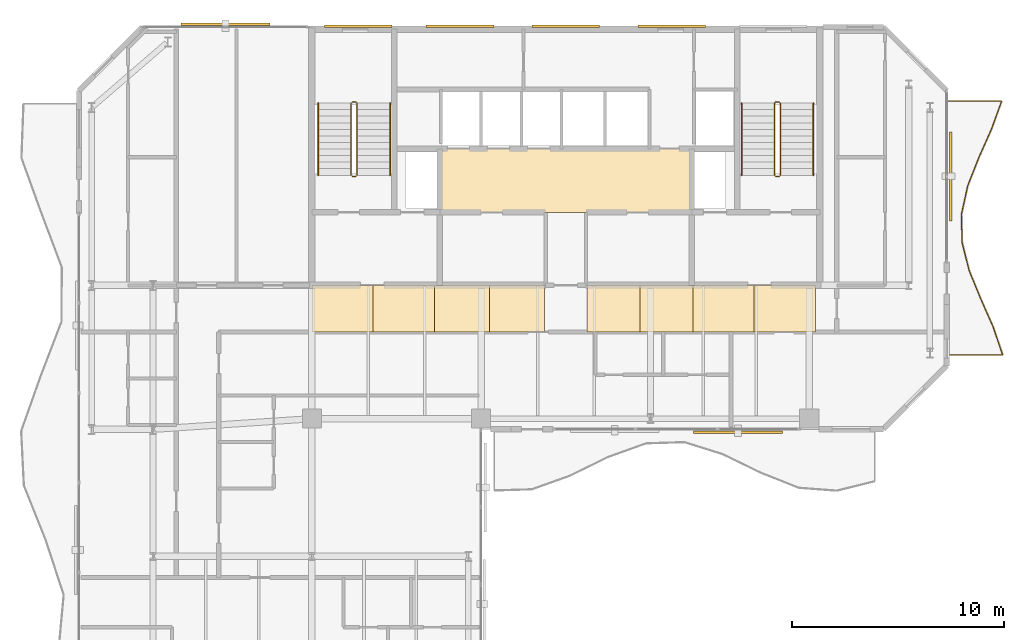
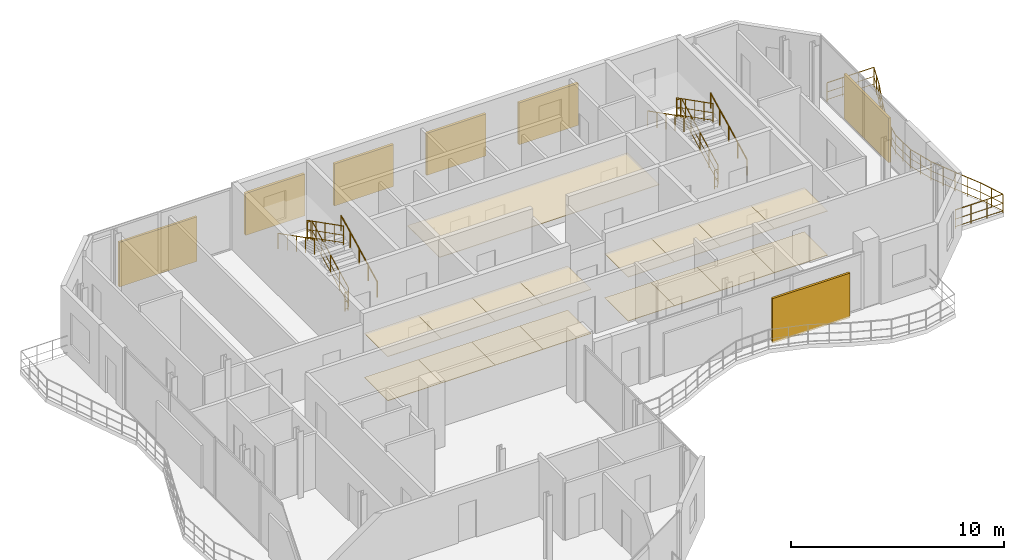
# One storey, part 22 of 23: 17 coverings, 13 railings, 7 shading devices.
"""IFC4 building model written with IfcOpenShell, lengths in metres."""

from ifc_helpers import new_model, si_unit, direction, frame, origin, origin_2d, place, context, subcontext, project, spatial, polyline, rectangle, circle, outline, extrude, material, layer, layer_set, type_object, element, save


model = new_model("IFC4")

# Units and contexts
model_context = context("Model", 3, precision=1e-05, world=origin(), true_north=direction((0.0, 1.0)))
body_context = subcontext(model_context, "Body", "Model", "MODEL_VIEW")
ifc_project = project(units=[si_unit("LENGTHUNIT", "METRE"), si_unit("AREAUNIT", "SQUARE_METRE"), si_unit("VOLUMEUNIT", "CUBIC_METRE"), si_unit("PLANEANGLEUNIT", "RADIAN"), si_unit("MASSUNIT", "GRAM", prefix="KILO")], contexts=[model_context])

# Site, building, storey
site_placement = place(None, origin())
site = spatial("IfcSite", under=ifc_project, at=site_placement, CompositionType="ELEMENT")
building_placement = place(site_placement, origin())
building = spatial("IfcBuilding", under=site, at=building_placement, Name="Catumbela Crestline Tower", CompositionType="ELEMENT")
storey_placement = place(building_placement, frame((0.0, 0.0, 245.0)))
storey = spatial("IfcBuildingStorey", under=building, at=storey_placement, Name="L63", CompositionType="ELEMENT", Elevation=245.0)

# Coverings
ifc_material_1 = material(Name="Mineral-fibre acoustic ceiling")
ifc_layer_1 = layer(ifc_material_1, 0.03, Name="Mineral-fibre acoustic ceiling")
ifc_layer_set_1 = layer_set([ifc_layer_1], Name="Mineral-fibre acoustic ceiling")
covering_type_1 = type_object("IfcCoveringType", Name="CC-AC", PredefinedType="CEILING", material=ifc_layer_set_1)
covering_1_placement = place(storey_placement, frame((0.0, 0.0, 2.65)))
element("IfcCovering", 1, at=covering_1_placement, inside=storey, type_object=covering_type_1, Name="L63 Lift Lobby Acoustic Ceiling", PredefinedType="CEILING", context=body_context, shape_type="SweptSolid", body=[
    extrude(outline(polyline([(22.05, 34.25), (33.95, 34.25), (33.95, 37.25), (22.05, 37.25), (22.05, 34.25)])), origin(), (0.0, 0.0, 1.0), 0.03),
])
covering_2_placement = place(storey_placement, frame((0.0, 0.0, 2.52)))
element("IfcCovering", 2, at=covering_2_placement, inside=storey, type_object=covering_type_1, Name="L63 Corridor Acoustic Ceiling Bay 1", PredefinedType="CEILING", context=body_context, shape_type="SweptSolid", body=[
    extrude(outline(polyline([(16.0, 28.6), (18.9, 28.6), (18.9, 30.8), (16.0, 30.8), (16.0, 28.6)])), origin(), (0.0, 0.0, 1.0), 0.03),
])
covering_3_placement = place(storey_placement, frame((0.0, 0.0, 2.52)))
element("IfcCovering", 3, at=covering_3_placement, inside=storey, type_object=covering_type_1, Name="L63 Corridor Acoustic Ceiling Bay 2", PredefinedType="CEILING", context=body_context, shape_type="SweptSolid", body=[
    extrude(outline(polyline([(18.9, 28.6), (21.8, 28.6), (21.8, 30.8), (18.9, 30.8), (18.9, 28.6)])), origin(), (0.0, 0.0, 1.0), 0.03),
])
covering_4_placement = place(storey_placement, frame((0.0, 0.0, 2.52)))
element("IfcCovering", 4, at=covering_4_placement, inside=storey, type_object=covering_type_1, Name="L63 Corridor Acoustic Ceiling Bay 3", PredefinedType="CEILING", context=body_context, shape_type="SweptSolid", body=[
    extrude(outline(polyline([(21.8, 28.6), (24.4, 28.6), (24.4, 30.8), (21.8, 30.8), (21.8, 28.6)])), origin(), (0.0, 0.0, 1.0), 0.03),
])
covering_5_placement = place(storey_placement, frame((0.0, 0.0, 2.52)))
element("IfcCovering", 5, at=covering_5_placement, inside=storey, type_object=covering_type_1, Name="L63 Corridor Acoustic Ceiling Bay 4", PredefinedType="CEILING", context=body_context, shape_type="SweptSolid", body=[
    extrude(outline(polyline([(24.4, 28.6), (27.0, 28.6), (27.0, 30.8), (24.4, 30.8), (24.4, 28.6)])), origin(), (0.0, 0.0, 1.0), 0.03),
])
covering_6_placement = place(storey_placement, frame((0.0, 0.0, 2.52)))
element("IfcCovering", 6, at=covering_6_placement, inside=storey, type_object=covering_type_1, Name="L63 Corridor Acoustic Ceiling Bay 5", PredefinedType="CEILING", context=body_context, shape_type="SweptSolid", body=[
    extrude(outline(polyline([(29.0, 28.6), (31.5, 28.6), (31.5, 30.8), (29.0, 30.8), (29.0, 28.6)])), origin(), (0.0, 0.0, 1.0), 0.03),
])
covering_7_placement = place(storey_placement, frame((0.0, 0.0, 2.52)))
element("IfcCovering", 7, at=covering_7_placement, inside=storey, type_object=covering_type_1, Name="L63 Corridor Acoustic Ceiling Bay 6", PredefinedType="CEILING", context=body_context, shape_type="SweptSolid", body=[
    extrude(outline(polyline([(31.5, 28.6), (34.0, 28.6), (34.0, 30.8), (31.5, 30.8), (31.5, 28.6)])), origin(), (0.0, 0.0, 1.0), 0.03),
])
covering_8_placement = place(storey_placement, frame((0.0, 0.0, 2.52)))
element("IfcCovering", 8, at=covering_8_placement, inside=storey, type_object=covering_type_1, Name="L63 Corridor Acoustic Ceiling Bay 7", PredefinedType="CEILING", context=body_context, shape_type="SweptSolid", body=[
    extrude(outline(polyline([(34.0, 28.6), (36.9, 28.6), (36.9, 30.8), (34.0, 30.8), (34.0, 28.6)])), origin(), (0.0, 0.0, 1.0), 0.03),
])
covering_9_placement = place(storey_placement, frame((0.0, 0.0, 2.52)))
element("IfcCovering", 9, at=covering_9_placement, inside=storey, type_object=covering_type_1, Name="L63 Corridor Acoustic Ceiling Bay 8", PredefinedType="CEILING", context=body_context, shape_type="SweptSolid", body=[
    extrude(outline(polyline([(36.9, 28.6), (39.8, 28.6), (39.8, 30.8), (36.9, 30.8), (36.9, 28.6)])), origin(), (0.0, 0.0, 1.0), 0.03),
])
ifc_material_2 = material(Name="Angolan grey-ochre granite", Category="masonry")
ifc_layer_2 = layer(ifc_material_2, 0.025, Name="Angolan grey-ochre granite")
ifc_layer_set_2 = layer_set([ifc_layer_2], Name="Angolan grey-ochre granite")
covering_type_2 = type_object("IfcCoveringType", Name="CF-GR", PredefinedType="FLOORING", material=ifc_layer_set_2)
covering_10_placement = place(storey_placement, origin())
element("IfcCovering", 10, at=covering_10_placement, inside=storey, type_object=covering_type_2, Name="L63 Corridor Granite Flooring Bay 1", PredefinedType="FLOORING", context=body_context, shape_type="SweptSolid", body=[
    extrude(outline(polyline([(16.0, 28.6), (18.9, 28.6), (18.9, 30.8), (16.0, 30.8), (16.0, 28.6)])), origin(), (0.0, 0.0, 1.0), 0.025),
])
covering_11_placement = place(storey_placement, origin())
element("IfcCovering", 11, at=covering_11_placement, inside=storey, type_object=covering_type_2, Name="L63 Corridor Granite Flooring Bay 2", PredefinedType="FLOORING", context=body_context, shape_type="SweptSolid", body=[
    extrude(outline(polyline([(18.9, 28.6), (21.8, 28.6), (21.8, 30.8), (18.9, 30.8), (18.9, 28.6)])), origin(), (0.0, 0.0, 1.0), 0.025),
])
covering_12_placement = place(storey_placement, origin())
element("IfcCovering", 12, at=covering_12_placement, inside=storey, type_object=covering_type_2, Name="L63 Corridor Granite Flooring Bay 3", PredefinedType="FLOORING", context=body_context, shape_type="SweptSolid", body=[
    extrude(outline(polyline([(21.8, 28.6), (24.4, 28.6), (24.4, 30.8), (21.8, 30.8), (21.8, 28.6)])), origin(), (0.0, 0.0, 1.0), 0.025),
])
covering_13_placement = place(storey_placement, origin())
element("IfcCovering", 13, at=covering_13_placement, inside=storey, type_object=covering_type_2, Name="L63 Corridor Granite Flooring Bay 4", PredefinedType="FLOORING", context=body_context, shape_type="SweptSolid", body=[
    extrude(outline(polyline([(24.4, 28.6), (27.0, 28.6), (27.0, 30.8), (24.4, 30.8), (24.4, 28.6)])), origin(), (0.0, 0.0, 1.0), 0.025),
])
covering_14_placement = place(storey_placement, origin())
element("IfcCovering", 14, at=covering_14_placement, inside=storey, type_object=covering_type_2, Name="L63 Corridor Granite Flooring Bay 5", PredefinedType="FLOORING", context=body_context, shape_type="SweptSolid", body=[
    extrude(outline(polyline([(29.0, 28.6), (31.5, 28.6), (31.5, 30.8), (29.0, 30.8), (29.0, 28.6)])), origin(), (0.0, 0.0, 1.0), 0.025),
])
covering_15_placement = place(storey_placement, origin())
element("IfcCovering", 15, at=covering_15_placement, inside=storey, type_object=covering_type_2, Name="L63 Corridor Granite Flooring Bay 6", PredefinedType="FLOORING", context=body_context, shape_type="SweptSolid", body=[
    extrude(outline(polyline([(31.5, 28.6), (34.0, 28.6), (34.0, 30.8), (31.5, 30.8), (31.5, 28.6)])), origin(), (0.0, 0.0, 1.0), 0.025),
])
covering_16_placement = place(storey_placement, origin())
element("IfcCovering", 16, at=covering_16_placement, inside=storey, type_object=covering_type_2, Name="L63 Corridor Granite Flooring Bay 7", PredefinedType="FLOORING", context=body_context, shape_type="SweptSolid", body=[
    extrude(outline(polyline([(34.0, 28.6), (36.9, 28.6), (36.9, 30.8), (34.0, 30.8), (34.0, 28.6)])), origin(), (0.0, 0.0, 1.0), 0.025),
])
covering_17_placement = place(storey_placement, origin())
element("IfcCovering", 17, at=covering_17_placement, inside=storey, type_object=covering_type_2, Name="L63 Corridor Granite Flooring Bay 8", PredefinedType="FLOORING", context=body_context, shape_type="SweptSolid", body=[
    extrude(outline(polyline([(36.9, 28.6), (39.8, 28.6), (39.8, 30.8), (36.9, 30.8), (36.9, 28.6)])), origin(), (0.0, 0.0, 1.0), 0.025),
])

# Railings
ifc_material_3 = material(Name="Stainless steel EN 1.4401", Category="steel")
railing_type_1 = type_object("IfcRailingType", Name="RB-1100", PredefinedType="BALUSTRADE", material=ifc_material_3)
railing_1_placement = place(storey_placement, frame((46.06, 27.5, 0.0)))
element("IfcRailing", 18, at=railing_1_placement, inside=storey, type_object=railing_type_1, Name="L63 Private Wave Balcony Balustrade 2", PredefinedType="BALUSTRADE", context=body_context, shape_type="SweptSolid", body=[
    extrude(circle(Radius=0.024, at=origin_2d()), frame((0.0, 0.0, 1.076), z_axis=(1.0, 0.0, 0.0), x_axis=(0.0, 1.0, 0.0)), (0.0, 0.0, 1.0), 2.5799),
    extrude(circle(Radius=0.0156, at=origin_2d()), frame((0.0, 0.0, 0.55), z_axis=(1.0, 0.0, 0.0), x_axis=(0.0, 1.0, 0.0)), (0.0, 0.0, 1.0), 2.5799),
    extrude(circle(Radius=0.0156, at=origin_2d()), frame((0.0, 0.0, 0.12), z_axis=(1.0, 0.0, 0.0), x_axis=(0.0, 1.0, 0.0)), (0.0, 0.0, 1.0), 2.5799),
    extrude(circle(Radius=0.024, at=origin_2d()), frame((2.5799, 0.0, 1.076), z_axis=(-0.321825075032, 0.946799145057, 0.0), x_axis=(-0.946799145057, -0.321825075032, 0.0)), (0.0, 0.0, 1.0), 1.4082),
    extrude(circle(Radius=0.0156, at=origin_2d()), frame((2.5799, 0.0, 0.55), z_axis=(-0.321825075032, 0.946799145057, 0.0), x_axis=(-0.946799145057, -0.321825075032, 0.0)), (0.0, 0.0, 1.0), 1.4082),
    extrude(circle(Radius=0.0156, at=origin_2d()), frame((2.5799, 0.0, 0.12), z_axis=(-0.321825075032, 0.946799145057, 0.0), x_axis=(-0.946799145057, -0.321825075032, 0.0)), (0.0, 0.0, 1.0), 1.4082),
    extrude(circle(Radius=0.024, at=origin_2d()), frame((2.1267, 1.3333, 1.076), z_axis=(-0.404004999136, 0.914756776784, 0.0), x_axis=(-0.914756776784, -0.404004999136, 0.0)), (0.0, 0.0, 1.0), 1.4577),
    extrude(circle(Radius=0.0156, at=origin_2d()), frame((2.1267, 1.3333, 0.55), z_axis=(-0.404004999136, 0.914756776784, 0.0), x_axis=(-0.914756776784, -0.404004999136, 0.0)), (0.0, 0.0, 1.0), 1.4577),
    extrude(circle(Radius=0.0156, at=origin_2d()), frame((2.1267, 1.3333, 0.12), z_axis=(-0.404004999136, 0.914756776784, 0.0), x_axis=(-0.914756776784, -0.404004999136, 0.0)), (0.0, 0.0, 1.0), 1.4577),
    extrude(circle(Radius=0.024, at=origin_2d()), frame((1.5378, 2.6667, 1.076), z_axis=(-0.378786900544, 0.92548391881, 0.0), x_axis=(-0.92548391881, -0.378786900544, 0.0)), (0.0, 0.0, 1.0), 1.4407),
    extrude(circle(Radius=0.0156, at=origin_2d()), frame((1.5378, 2.6667, 0.55), z_axis=(-0.378786900544, 0.92548391881, 0.0), x_axis=(-0.92548391881, -0.378786900544, 0.0)), (0.0, 0.0, 1.0), 1.4407),
    extrude(circle(Radius=0.0156, at=origin_2d()), frame((1.5378, 2.6667, 0.12), z_axis=(-0.378786900544, 0.92548391881, 0.0), x_axis=(-0.92548391881, -0.378786900544, 0.0)), (0.0, 0.0, 1.0), 1.4407),
    extrude(circle(Radius=0.024, at=origin_2d()), frame((0.9921, 4.0, 1.076), z_axis=(-0.244844834843, 0.969562275901, 0.0), x_axis=(-0.969562275901, -0.244844834843, 0.0)), (0.0, 0.0, 1.0), 1.3752),
    extrude(circle(Radius=0.0156, at=origin_2d()), frame((0.9921, 4.0, 0.55), z_axis=(-0.244844834843, 0.969562275901, 0.0), x_axis=(-0.969562275901, -0.244844834843, 0.0)), (0.0, 0.0, 1.0), 1.3752),
    extrude(circle(Radius=0.0156, at=origin_2d()), frame((0.9921, 4.0, 0.12), z_axis=(-0.244844834843, 0.969562275901, 0.0), x_axis=(-0.969562275901, -0.244844834843, 0.0)), (0.0, 0.0, 1.0), 1.3752),
    extrude(circle(Radius=0.024, at=origin_2d()), frame((0.6554, 5.3333, 1.076), z_axis=(-0.018970636751, 0.999820041278, 0.0), x_axis=(-0.999820041278, -0.018970636751, 0.0)), (0.0, 0.0, 1.0), 1.3336),
    extrude(circle(Radius=0.0156, at=origin_2d()), frame((0.6554, 5.3333, 0.55), z_axis=(-0.018970636751, 0.999820041278, 0.0), x_axis=(-0.999820041278, -0.018970636751, 0.0)), (0.0, 0.0, 1.0), 1.3336),
    extrude(circle(Radius=0.0156, at=origin_2d()), frame((0.6554, 5.3333, 0.12), z_axis=(-0.018970636751, 0.999820041278, 0.0), x_axis=(-0.999820041278, -0.018970636751, 0.0)), (0.0, 0.0, 1.0), 1.3336),
    extrude(circle(Radius=0.024, at=origin_2d()), frame((0.6301, 6.6667, 1.076), z_axis=(0.21519292243, 0.9765715571, 0.0), x_axis=(-0.9765715571, 0.21519292243, 0.0)), (0.0, 0.0, 1.0), 1.3653),
    extrude(circle(Radius=0.0156, at=origin_2d()), frame((0.6301, 6.6667, 0.55), z_axis=(0.21519292243, 0.9765715571, 0.0), x_axis=(-0.9765715571, 0.21519292243, 0.0)), (0.0, 0.0, 1.0), 1.3653),
    extrude(circle(Radius=0.0156, at=origin_2d()), frame((0.6301, 6.6667, 0.12), z_axis=(0.21519292243, 0.9765715571, 0.0), x_axis=(-0.9765715571, 0.21519292243, 0.0)), (0.0, 0.0, 1.0), 1.3653),
    extrude(circle(Radius=0.024, at=origin_2d()), frame((0.9239, 8.0, 1.076), z_axis=(0.365533574003, 0.930798155497, 0.0), x_axis=(-0.930798155497, 0.365533574003, 0.0)), (0.0, 0.0, 1.0), 1.4324),
    extrude(circle(Radius=0.0156, at=origin_2d()), frame((0.9239, 8.0, 0.55), z_axis=(0.365533574003, 0.930798155497, 0.0), x_axis=(-0.930798155497, 0.365533574003, 0.0)), (0.0, 0.0, 1.0), 1.4324),
    extrude(circle(Radius=0.0156, at=origin_2d()), frame((0.9239, 8.0, 0.12), z_axis=(0.365533574003, 0.930798155497, 0.0), x_axis=(-0.930798155497, 0.365533574003, 0.0)), (0.0, 0.0, 1.0), 1.4324),
    extrude(circle(Radius=0.024, at=origin_2d()), frame((1.4475, 9.3333, 1.076), z_axis=(0.407040803726, 0.913409975915, 0.0), x_axis=(-0.913409975915, 0.407040803726, 0.0)), (0.0, 0.0, 1.0), 1.4598),
    extrude(circle(Radius=0.0156, at=origin_2d()), frame((1.4475, 9.3333, 0.55), z_axis=(0.407040803726, 0.913409975915, 0.0), x_axis=(-0.913409975915, 0.407040803726, 0.0)), (0.0, 0.0, 1.0), 1.4598),
    extrude(circle(Radius=0.0156, at=origin_2d()), frame((1.4475, 9.3333, 0.12), z_axis=(0.407040803726, 0.913409975915, 0.0), x_axis=(-0.913409975915, 0.407040803726, 0.0)), (0.0, 0.0, 1.0), 1.4598),
    extrude(circle(Radius=0.024, at=origin_2d()), frame((2.0417, 10.6667, 1.076), z_axis=(0.34140908898, 0.939914801438, 0.0), x_axis=(-0.939914801438, 0.34140908898, 0.0)), (0.0, 0.0, 1.0), 1.4185),
    extrude(circle(Radius=0.0156, at=origin_2d()), frame((2.0417, 10.6667, 0.55), z_axis=(0.34140908898, 0.939914801438, 0.0), x_axis=(-0.939914801438, 0.34140908898, 0.0)), (0.0, 0.0, 1.0), 1.4185),
    extrude(circle(Radius=0.0156, at=origin_2d()), frame((2.0417, 10.6667, 0.12), z_axis=(0.34140908898, 0.939914801438, 0.0), x_axis=(-0.939914801438, 0.34140908898, 0.0)), (0.0, 0.0, 1.0), 1.4185),
    extrude(circle(Radius=0.024, at=origin_2d()), frame((2.526, 12.0, 1.076), z_axis=(-1.0, 0.0, 0.0), x_axis=(0.0, -1.0, 0.0)), (0.0, 0.0, 1.0), 2.526),
    extrude(circle(Radius=0.0156, at=origin_2d()), frame((2.526, 12.0, 0.55), z_axis=(-1.0, 0.0, 0.0), x_axis=(0.0, -1.0, 0.0)), (0.0, 0.0, 1.0), 2.526),
    extrude(circle(Radius=0.0156, at=origin_2d()), frame((2.526, 12.0, 0.12), z_axis=(-1.0, 0.0, 0.0), x_axis=(0.0, -1.0, 0.0)), (0.0, 0.0, 1.0), 2.526),
    extrude(circle(Radius=0.021, at=origin_2d()), origin(), (0.0, 0.0, 1.0), 1.052),
    extrude(circle(Radius=0.021, at=origin_2d()), frame((0.86, 0.0, 0.0)), (0.0, 0.0, 1.0), 1.052),
    extrude(circle(Radius=0.021, at=origin_2d()), frame((1.7199, 0.0, 0.0)), (0.0, 0.0, 1.0), 1.052),
    extrude(circle(Radius=0.021, at=origin_2d()), frame((2.5799, 0.0, 0.0)), (0.0, 0.0, 1.0), 1.052),
    extrude(circle(Radius=0.021, at=origin_2d()), frame((2.3533, 0.6667, 0.0)), (0.0, 0.0, 1.0), 1.052),
    extrude(circle(Radius=0.021, at=origin_2d()), frame((2.1267, 1.3333, 0.0)), (0.0, 0.0, 1.0), 1.052),
    extrude(circle(Radius=0.021, at=origin_2d()), frame((1.8322, 2.0, 0.0)), (0.0, 0.0, 1.0), 1.052),
    extrude(circle(Radius=0.021, at=origin_2d()), frame((1.5378, 2.6667, 0.0)), (0.0, 0.0, 1.0), 1.052),
    extrude(circle(Radius=0.021, at=origin_2d()), frame((1.2649, 3.3333, 0.0)), (0.0, 0.0, 1.0), 1.052),
    extrude(circle(Radius=0.021, at=origin_2d()), frame((0.9921, 4.0, 0.0)), (0.0, 0.0, 1.0), 1.052),
    extrude(circle(Radius=0.021, at=origin_2d()), frame((0.8238, 4.6667, 0.0)), (0.0, 0.0, 1.0), 1.052),
    extrude(circle(Radius=0.021, at=origin_2d()), frame((0.6554, 5.3333, 0.0)), (0.0, 0.0, 1.0), 1.052),
    extrude(circle(Radius=0.021, at=origin_2d()), frame((0.6427, 6.0, 0.0)), (0.0, 0.0, 1.0), 1.052),
    extrude(circle(Radius=0.021, at=origin_2d()), frame((0.6301, 6.6667, 0.0)), (0.0, 0.0, 1.0), 1.052),
    extrude(circle(Radius=0.021, at=origin_2d()), frame((0.777, 7.3334, 0.0)), (0.0, 0.0, 1.0), 1.052),
    extrude(circle(Radius=0.021, at=origin_2d()), frame((0.9239, 8.0, 0.0)), (0.0, 0.0, 1.0), 1.052),
    extrude(circle(Radius=0.021, at=origin_2d()), frame((1.1857, 8.6666, 0.0)), (0.0, 0.0, 1.0), 1.052),
    extrude(circle(Radius=0.021, at=origin_2d()), frame((1.4475, 9.3333, 0.0)), (0.0, 0.0, 1.0), 1.052),
    extrude(circle(Radius=0.021, at=origin_2d()), frame((1.7446, 10.0, 0.0)), (0.0, 0.0, 1.0), 1.052),
    extrude(circle(Radius=0.021, at=origin_2d()), frame((2.0417, 10.6667, 0.0)), (0.0, 0.0, 1.0), 1.052),
    extrude(circle(Radius=0.021, at=origin_2d()), frame((2.2838, 11.3334, 0.0)), (0.0, 0.0, 1.0), 1.052),
    extrude(circle(Radius=0.021, at=origin_2d()), frame((2.526, 12.0, 0.0)), (0.0, 0.0, 1.0), 1.052),
    extrude(circle(Radius=0.021, at=origin_2d()), frame((1.684, 12.0, 0.0)), (0.0, 0.0, 1.0), 1.052),
    extrude(circle(Radius=0.021, at=origin_2d()), frame((0.842, 12.0, 0.0)), (0.0, 0.0, 1.0), 1.052),
    extrude(circle(Radius=0.021, at=origin_2d()), frame((0.0, 12.0, 0.0)), (0.0, 0.0, 1.0), 1.052),
])
railing_type_2 = type_object("IfcRailingType", Name="RG-1100", PredefinedType="GUARDRAIL", material=ifc_material_3)
railing_2_placement = place(storey_placement, frame((18.14, 36.0, 0.1583)))
element("IfcRailing", 19, at=railing_2_placement, inside=storey, type_object=railing_type_2, Name="L63 ST-01 stair guard 1", PredefinedType="GUARDRAIL", context=body_context, shape_type="SweptSolid", body=[
    extrude(circle(Radius=0.024, at=origin_2d()), frame((0.0, 0.0, 1.076), z_axis=(0.0, 0.890560473983, 0.454864861447), x_axis=(-1.0, 0.0, 0.0)), (0.0, 0.0, 1.0), 3.829),
    extrude(circle(Radius=0.0156, at=origin_2d()), frame((0.0, 0.0, 0.55), z_axis=(0.0, 0.890560473983, 0.454864861447), x_axis=(-1.0, 0.0, 0.0)), (0.0, 0.0, 1.0), 3.829),
    extrude(circle(Radius=0.0156, at=origin_2d()), frame((0.0, 0.0, 0.12), z_axis=(0.0, 0.890560473983, 0.454864861447), x_axis=(-1.0, 0.0, 0.0)), (0.0, 0.0, 1.0), 3.829),
    extrude(circle(Radius=0.021, at=origin_2d()), origin(), (0.0, 0.0, 1.0), 1.052),
    extrude(circle(Radius=0.021, at=origin_2d()), frame((0.0, 0.8525, 0.4354)), (0.0, 0.0, 1.0), 1.052),
    extrude(circle(Radius=0.021, at=origin_2d()), frame((0.0, 1.705, 0.8709)), (0.0, 0.0, 1.0), 1.052),
    extrude(circle(Radius=0.021, at=origin_2d()), frame((0.0, 2.5575, 1.3063)), (0.0, 0.0, 1.0), 1.052),
    extrude(circle(Radius=0.021, at=origin_2d()), frame((0.0, 3.41, 1.7417)), (0.0, 0.0, 1.0), 1.052),
])
railing_3_placement = place(storey_placement, frame((18.09, 39.46, 1.9)))
element("IfcRailing", 20, at=railing_3_placement, inside=storey, type_object=railing_type_2, Name="L63 ST-01 stair guard 2", PredefinedType="GUARDRAIL", context=body_context, shape_type="SweptSolid", body=[
    extrude(circle(Radius=0.024, at=origin_2d()), frame((0.0, 0.0, 1.076), z_axis=(-1.0, 0.0, 0.0), x_axis=(0.0, -1.0, 0.0)), (0.0, 0.0, 1.0), 0.18),
    extrude(circle(Radius=0.0156, at=origin_2d()), frame((0.0, 0.0, 0.55), z_axis=(-1.0, 0.0, 0.0), x_axis=(0.0, -1.0, 0.0)), (0.0, 0.0, 1.0), 0.18),
    extrude(circle(Radius=0.0156, at=origin_2d()), frame((0.0, 0.0, 0.12), z_axis=(-1.0, 0.0, 0.0), x_axis=(0.0, -1.0, 0.0)), (0.0, 0.0, 1.0), 0.18),
    extrude(circle(Radius=0.021, at=origin_2d()), origin(), (0.0, 0.0, 1.0), 1.052),
    extrude(circle(Radius=0.021, at=origin_2d()), frame((-0.18, 0.0, 0.0)), (0.0, 0.0, 1.0), 1.052),
])
railing_4_placement = place(storey_placement, frame((17.86, 39.41, 2.0583)))
element("IfcRailing", 21, at=railing_4_placement, inside=storey, type_object=railing_type_2, Name="L63 ST-01 stair guard 3", PredefinedType="GUARDRAIL", context=body_context, shape_type="SweptSolid", body=[
    extrude(circle(Radius=0.024, at=origin_2d()), frame((0.0, 0.0, 1.076), z_axis=(0.0, -0.890560473983, 0.454864861447), x_axis=(1.0, 0.0, 0.0)), (0.0, 0.0, 1.0), 3.829),
    extrude(circle(Radius=0.0156, at=origin_2d()), frame((0.0, 0.0, 0.55), z_axis=(0.0, -0.890560473983, 0.454864861447), x_axis=(1.0, 0.0, 0.0)), (0.0, 0.0, 1.0), 3.829),
    extrude(circle(Radius=0.0156, at=origin_2d()), frame((0.0, 0.0, 0.12), z_axis=(0.0, -0.890560473983, 0.454864861447), x_axis=(1.0, 0.0, 0.0)), (0.0, 0.0, 1.0), 3.829),
    extrude(circle(Radius=0.021, at=origin_2d()), origin(), (0.0, 0.0, 1.0), 1.052),
    extrude(circle(Radius=0.021, at=origin_2d()), frame((0.0, -0.8525, 0.4354)), (0.0, 0.0, 1.0), 1.052),
    extrude(circle(Radius=0.021, at=origin_2d()), frame((0.0, -1.705, 0.8709)), (0.0, 0.0, 1.0), 1.052),
    extrude(circle(Radius=0.021, at=origin_2d()), frame((0.0, -2.5575, 1.3063)), (0.0, 0.0, 1.0), 1.052),
    extrude(circle(Radius=0.021, at=origin_2d()), frame((0.0, -3.41, 1.7417)), (0.0, 0.0, 1.0), 1.052),
])
railing_5_placement = place(storey_placement, frame((18.09, 35.95, 0.0)))
element("IfcRailing", 22, at=railing_5_placement, inside=storey, type_object=railing_type_2, Name="L63 ST-01 stair guard 4", PredefinedType="GUARDRAIL", context=body_context, shape_type="SweptSolid", body=[
    extrude(circle(Radius=0.024, at=origin_2d()), frame((0.0, 0.0, 1.076), z_axis=(-1.0, 0.0, 0.0), x_axis=(0.0, -1.0, 0.0)), (0.0, 0.0, 1.0), 0.18),
    extrude(circle(Radius=0.0156, at=origin_2d()), frame((0.0, 0.0, 0.55), z_axis=(-1.0, 0.0, 0.0), x_axis=(0.0, -1.0, 0.0)), (0.0, 0.0, 1.0), 0.18),
    extrude(circle(Radius=0.0156, at=origin_2d()), frame((0.0, 0.0, 0.12), z_axis=(-1.0, 0.0, 0.0), x_axis=(0.0, -1.0, 0.0)), (0.0, 0.0, 1.0), 0.18),
    extrude(circle(Radius=0.021, at=origin_2d()), origin(), (0.0, 0.0, 1.0), 1.052),
    extrude(circle(Radius=0.021, at=origin_2d()), frame((-0.18, 0.0, 0.0)), (0.0, 0.0, 1.0), 1.052),
])
railing_6_placement = place(storey_placement, frame((38.14, 36.0, 0.1583)))
element("IfcRailing", 23, at=railing_6_placement, inside=storey, type_object=railing_type_2, Name="L63 ST-02 stair guard 1", PredefinedType="GUARDRAIL", context=body_context, shape_type="SweptSolid", body=[
    extrude(circle(Radius=0.024, at=origin_2d()), frame((0.0, 0.0, 1.076), z_axis=(0.0, 0.890560473983, 0.454864861447), x_axis=(-1.0, 0.0, 0.0)), (0.0, 0.0, 1.0), 3.829),
    extrude(circle(Radius=0.0156, at=origin_2d()), frame((0.0, 0.0, 0.55), z_axis=(0.0, 0.890560473983, 0.454864861447), x_axis=(-1.0, 0.0, 0.0)), (0.0, 0.0, 1.0), 3.829),
    extrude(circle(Radius=0.0156, at=origin_2d()), frame((0.0, 0.0, 0.12), z_axis=(0.0, 0.890560473983, 0.454864861447), x_axis=(-1.0, 0.0, 0.0)), (0.0, 0.0, 1.0), 3.829),
    extrude(circle(Radius=0.021, at=origin_2d()), origin(), (0.0, 0.0, 1.0), 1.052),
    extrude(circle(Radius=0.021, at=origin_2d()), frame((0.0, 0.8525, 0.4354)), (0.0, 0.0, 1.0), 1.052),
    extrude(circle(Radius=0.021, at=origin_2d()), frame((0.0, 1.705, 0.8709)), (0.0, 0.0, 1.0), 1.052),
    extrude(circle(Radius=0.021, at=origin_2d()), frame((0.0, 2.5575, 1.3063)), (0.0, 0.0, 1.0), 1.052),
    extrude(circle(Radius=0.021, at=origin_2d()), frame((0.0, 3.41, 1.7417)), (0.0, 0.0, 1.0), 1.052),
])
railing_7_placement = place(storey_placement, frame((38.09, 39.46, 1.9)))
element("IfcRailing", 24, at=railing_7_placement, inside=storey, type_object=railing_type_2, Name="L63 ST-02 stair guard 2", PredefinedType="GUARDRAIL", context=body_context, shape_type="SweptSolid", body=[
    extrude(circle(Radius=0.024, at=origin_2d()), frame((0.0, 0.0, 1.076), z_axis=(-1.0, 0.0, 0.0), x_axis=(0.0, -1.0, 0.0)), (0.0, 0.0, 1.0), 0.18),
    extrude(circle(Radius=0.0156, at=origin_2d()), frame((0.0, 0.0, 0.55), z_axis=(-1.0, 0.0, 0.0), x_axis=(0.0, -1.0, 0.0)), (0.0, 0.0, 1.0), 0.18),
    extrude(circle(Radius=0.0156, at=origin_2d()), frame((0.0, 0.0, 0.12), z_axis=(-1.0, 0.0, 0.0), x_axis=(0.0, -1.0, 0.0)), (0.0, 0.0, 1.0), 0.18),
    extrude(circle(Radius=0.021, at=origin_2d()), origin(), (0.0, 0.0, 1.0), 1.052),
    extrude(circle(Radius=0.021, at=origin_2d()), frame((-0.18, 0.0, 0.0)), (0.0, 0.0, 1.0), 1.052),
])
railing_8_placement = place(storey_placement, frame((37.86, 39.41, 2.0583)))
element("IfcRailing", 25, at=railing_8_placement, inside=storey, type_object=railing_type_2, Name="L63 ST-02 stair guard 3", PredefinedType="GUARDRAIL", context=body_context, shape_type="SweptSolid", body=[
    extrude(circle(Radius=0.024, at=origin_2d()), frame((0.0, 0.0, 1.076), z_axis=(0.0, -0.890560473983, 0.454864861447), x_axis=(1.0, 0.0, 0.0)), (0.0, 0.0, 1.0), 3.829),
    extrude(circle(Radius=0.0156, at=origin_2d()), frame((0.0, 0.0, 0.55), z_axis=(0.0, -0.890560473983, 0.454864861447), x_axis=(1.0, 0.0, 0.0)), (0.0, 0.0, 1.0), 3.829),
    extrude(circle(Radius=0.0156, at=origin_2d()), frame((0.0, 0.0, 0.12), z_axis=(0.0, -0.890560473983, 0.454864861447), x_axis=(1.0, 0.0, 0.0)), (0.0, 0.0, 1.0), 3.829),
    extrude(circle(Radius=0.021, at=origin_2d()), origin(), (0.0, 0.0, 1.0), 1.052),
    extrude(circle(Radius=0.021, at=origin_2d()), frame((0.0, -0.8525, 0.4354)), (0.0, 0.0, 1.0), 1.052),
    extrude(circle(Radius=0.021, at=origin_2d()), frame((0.0, -1.705, 0.8709)), (0.0, 0.0, 1.0), 1.052),
    extrude(circle(Radius=0.021, at=origin_2d()), frame((0.0, -2.5575, 1.3063)), (0.0, 0.0, 1.0), 1.052),
    extrude(circle(Radius=0.021, at=origin_2d()), frame((0.0, -3.41, 1.7417)), (0.0, 0.0, 1.0), 1.052),
])
railing_9_placement = place(storey_placement, frame((38.09, 35.95, 0.0)))
element("IfcRailing", 26, at=railing_9_placement, inside=storey, type_object=railing_type_2, Name="L63 ST-02 stair guard 4", PredefinedType="GUARDRAIL", context=body_context, shape_type="SweptSolid", body=[
    extrude(circle(Radius=0.024, at=origin_2d()), frame((0.0, 0.0, 1.076), z_axis=(-1.0, 0.0, 0.0), x_axis=(0.0, -1.0, 0.0)), (0.0, 0.0, 1.0), 0.18),
    extrude(circle(Radius=0.0156, at=origin_2d()), frame((0.0, 0.0, 0.55), z_axis=(-1.0, 0.0, 0.0), x_axis=(0.0, -1.0, 0.0)), (0.0, 0.0, 1.0), 0.18),
    extrude(circle(Radius=0.0156, at=origin_2d()), frame((0.0, 0.0, 0.12), z_axis=(-1.0, 0.0, 0.0), x_axis=(0.0, -1.0, 0.0)), (0.0, 0.0, 1.0), 0.18),
    extrude(circle(Radius=0.021, at=origin_2d()), origin(), (0.0, 0.0, 1.0), 1.052),
    extrude(circle(Radius=0.021, at=origin_2d()), frame((-0.18, 0.0, 0.0)), (0.0, 0.0, 1.0), 1.052),
])
railing_type_3 = type_object("IfcRailingType", Name="RH-0900", PredefinedType="HANDRAIL", material=ifc_material_3)
railing_10_placement = place(storey_placement, frame((19.7, 36.0, 0.1583)))
element("IfcRailing", 27, at=railing_10_placement, inside=storey, type_object=railing_type_3, Name="L63 ST-01 stair handrail 1", PredefinedType="HANDRAIL", context=body_context, shape_type="SweptSolid", body=[
    extrude(circle(Radius=0.024, at=origin_2d()), frame((0.0, 0.0, 0.876), z_axis=(0.0, 0.890560473983, 0.454864861447), x_axis=(-1.0, 0.0, 0.0)), (0.0, 0.0, 1.0), 3.829),
    extrude(circle(Radius=0.021, at=origin_2d()), origin(), (0.0, 0.0, 1.0), 0.852),
    extrude(circle(Radius=0.021, at=origin_2d()), frame((0.0, 0.8525, 0.4354)), (0.0, 0.0, 1.0), 0.852),
    extrude(circle(Radius=0.021, at=origin_2d()), frame((0.0, 1.705, 0.8709)), (0.0, 0.0, 1.0), 0.852),
    extrude(circle(Radius=0.021, at=origin_2d()), frame((0.0, 2.5575, 1.3063)), (0.0, 0.0, 1.0), 0.852),
    extrude(circle(Radius=0.021, at=origin_2d()), frame((0.0, 3.41, 1.7417)), (0.0, 0.0, 1.0), 0.852),
])
railing_11_placement = place(storey_placement, frame((16.3, 39.41, 2.0583)))
element("IfcRailing", 28, at=railing_11_placement, inside=storey, type_object=railing_type_3, Name="L63 ST-01 stair handrail 2", PredefinedType="HANDRAIL", context=body_context, shape_type="SweptSolid", body=[
    extrude(circle(Radius=0.024, at=origin_2d()), frame((0.0, 0.0, 0.876), z_axis=(0.0, -0.890560473983, 0.454864861447), x_axis=(1.0, 0.0, 0.0)), (0.0, 0.0, 1.0), 3.829),
    extrude(circle(Radius=0.021, at=origin_2d()), origin(), (0.0, 0.0, 1.0), 0.852),
    extrude(circle(Radius=0.021, at=origin_2d()), frame((0.0, -0.8525, 0.4354)), (0.0, 0.0, 1.0), 0.852),
    extrude(circle(Radius=0.021, at=origin_2d()), frame((0.0, -1.705, 0.8709)), (0.0, 0.0, 1.0), 0.852),
    extrude(circle(Radius=0.021, at=origin_2d()), frame((0.0, -2.5575, 1.3063)), (0.0, 0.0, 1.0), 0.852),
    extrude(circle(Radius=0.021, at=origin_2d()), frame((0.0, -3.41, 1.7417)), (0.0, 0.0, 1.0), 0.852),
])
railing_12_placement = place(storey_placement, frame((39.7, 36.0, 0.1583)))
element("IfcRailing", 29, at=railing_12_placement, inside=storey, type_object=railing_type_3, Name="L63 ST-02 stair handrail 1", PredefinedType="HANDRAIL", context=body_context, shape_type="SweptSolid", body=[
    extrude(circle(Radius=0.024, at=origin_2d()), frame((0.0, 0.0, 0.876), z_axis=(0.0, 0.890560473983, 0.454864861447), x_axis=(-1.0, 0.0, 0.0)), (0.0, 0.0, 1.0), 3.829),
    extrude(circle(Radius=0.021, at=origin_2d()), origin(), (0.0, 0.0, 1.0), 0.852),
    extrude(circle(Radius=0.021, at=origin_2d()), frame((0.0, 0.8525, 0.4354)), (0.0, 0.0, 1.0), 0.852),
    extrude(circle(Radius=0.021, at=origin_2d()), frame((0.0, 1.705, 0.8709)), (0.0, 0.0, 1.0), 0.852),
    extrude(circle(Radius=0.021, at=origin_2d()), frame((0.0, 2.5575, 1.3063)), (0.0, 0.0, 1.0), 0.852),
    extrude(circle(Radius=0.021, at=origin_2d()), frame((0.0, 3.41, 1.7417)), (0.0, 0.0, 1.0), 0.852),
])
railing_13_placement = place(storey_placement, frame((36.3, 39.41, 2.0583)))
element("IfcRailing", 30, at=railing_13_placement, inside=storey, type_object=railing_type_3, Name="L63 ST-02 stair handrail 2", PredefinedType="HANDRAIL", context=body_context, shape_type="SweptSolid", body=[
    extrude(circle(Radius=0.024, at=origin_2d()), frame((0.0, 0.0, 0.876), z_axis=(0.0, -0.890560473983, 0.454864861447), x_axis=(1.0, 0.0, 0.0)), (0.0, 0.0, 1.0), 3.829),
    extrude(circle(Radius=0.021, at=origin_2d()), origin(), (0.0, 0.0, 1.0), 0.852),
    extrude(circle(Radius=0.021, at=origin_2d()), frame((0.0, -0.8525, 0.4354)), (0.0, 0.0, 1.0), 0.852),
    extrude(circle(Radius=0.021, at=origin_2d()), frame((0.0, -1.705, 0.8709)), (0.0, 0.0, 1.0), 0.852),
    extrude(circle(Radius=0.021, at=origin_2d()), frame((0.0, -2.5575, 1.3063)), (0.0, 0.0, 1.0), 0.852),
    extrude(circle(Radius=0.021, at=origin_2d()), frame((0.0, -3.41, 1.7417)), (0.0, 0.0, 1.0), 0.852),
])

# Shading devices
ifc_material_4 = material(Name="Extruded terracotta ceramic", Category="masonry")
shading_device_type_1 = type_object("IfcShadingDeviceType", Name="ST-180", PredefinedType="USERDEFINED", material=ifc_material_4)
shading_device_1_placement = place(storey_placement, frame((28.0, 43.04, 0.55), z_axis=(0.0, 0.0, 1.0), x_axis=(1.0, 0.0, 0.0)))
element("IfcShadingDevice", 31, at=shading_device_1_placement, inside=storey, type_object=shading_device_type_1, Name="L63 Rear Core Terracotta Brise-Soleil Screen 756", ObjectType="SCREEN", PredefinedType="USERDEFINED", context=body_context, shape_type="SweptSolid", body=[
    extrude(rectangle(XDim=3.2, YDim=0.14, at=origin_2d()), origin(), (0.0, 0.0, 1.0), 2.4),
])
shading_device_type_2 = type_object("IfcShadingDeviceType", Name="ST-260", PredefinedType="USERDEFINED", material=ifc_material_4)
shading_device_2_placement = place(storey_placement, frame((23.0, 43.04, 0.55), z_axis=(0.0, 0.0, 1.0), x_axis=(1.0, 0.0, 0.0)))
element("IfcShadingDevice", 32, at=shading_device_2_placement, inside=storey, type_object=shading_device_type_2, Name="L63 Rear Core Terracotta Brise-Soleil Screen 755", ObjectType="SCREEN", PredefinedType="USERDEFINED", context=body_context, shape_type="SweptSolid", body=[
    extrude(rectangle(XDim=3.2, YDim=0.14, at=origin_2d()), origin(), (0.0, 0.0, 1.0), 2.4),
])
for number, where, z_axis, x_axis, name in (
    (33, (36.1375, 23.857, -0.1), (0.0, 0.0, 1.0), (1.0, 0.0, 0.0), "L63 Perforated Terracotta Solar Screen 763 (260 mm)"),
    (34, (11.93, 43.143, -0.1), (0.0, 0.0, 1.0), (-1.0, 0.0, 0.0), "L63 Perforated Terracotta Solar Screen 765 (260 mm)"),
):
    element("IfcShadingDevice", number, at=place(storey_placement, frame(where, z_axis=z_axis, x_axis=x_axis)), inside=storey, type_object=shading_device_type_2, Name=name, ObjectType="SCREEN", PredefinedType="USERDEFINED", context=body_context, shape_type="SweptSolid", body=[
        extrude(rectangle(XDim=4.2, YDim=0.12, at=origin_2d()), origin(), (0.0, 0.0, 1.0), 2.55),
    ])
shading_device_type_3 = type_object("IfcShadingDeviceType", Name="ST-340", PredefinedType="USERDEFINED", material=ifc_material_4)
for number, where, z_axis, x_axis, name in (
    (35, (18.2, 43.04, 0.55), (0.0, 0.0, 1.0), (1.0, 0.0, 0.0), "L63 Rear Core Terracotta Brise-Soleil Screen 754"),
    (36, (33.0, 43.04, 0.55), (0.0, 0.0, 1.0), (1.0, 0.0, 0.0), "L63 Rear Core Terracotta Brise-Soleil Screen 757"),
):
    element("IfcShadingDevice", number, at=place(storey_placement, frame(where, z_axis=z_axis, x_axis=x_axis)), inside=storey, type_object=shading_device_type_3, Name=name, ObjectType="SCREEN", PredefinedType="USERDEFINED", context=body_context, shape_type="SweptSolid", body=[
        extrude(rectangle(XDim=3.2, YDim=0.14, at=origin_2d()), origin(), (0.0, 0.0, 1.0), 2.4),
    ])
shading_device_3_placement = place(storey_placement, frame((46.187, 35.95, -0.1), z_axis=(0.0, 0.0, 1.0), x_axis=(0.0, 1.0, 0.0)))
element("IfcShadingDevice", 37, at=shading_device_3_placement, inside=storey, type_object=shading_device_type_3, Name="L63 Perforated Terracotta Solar Screen 764 (340 mm)", ObjectType="SCREEN", PredefinedType="USERDEFINED", context=body_context, shape_type="SweptSolid", body=[
    extrude(rectangle(XDim=4.2, YDim=0.12, at=origin_2d()), origin(), (0.0, 0.0, 1.0), 2.55),
])

save(model, "model.ifc")
